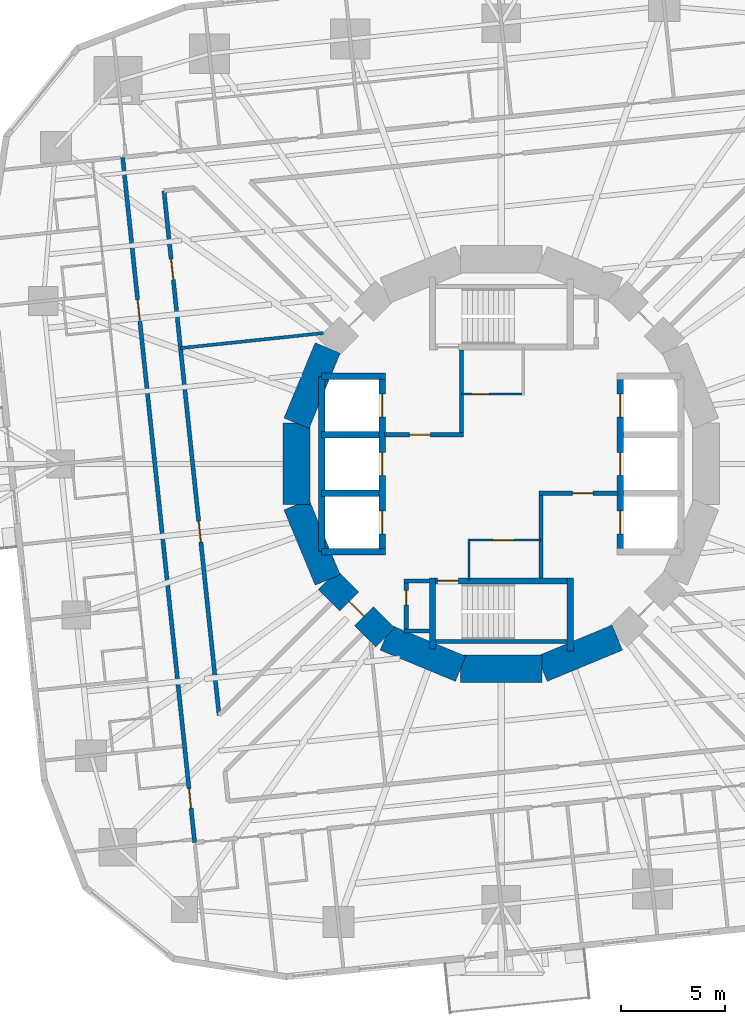
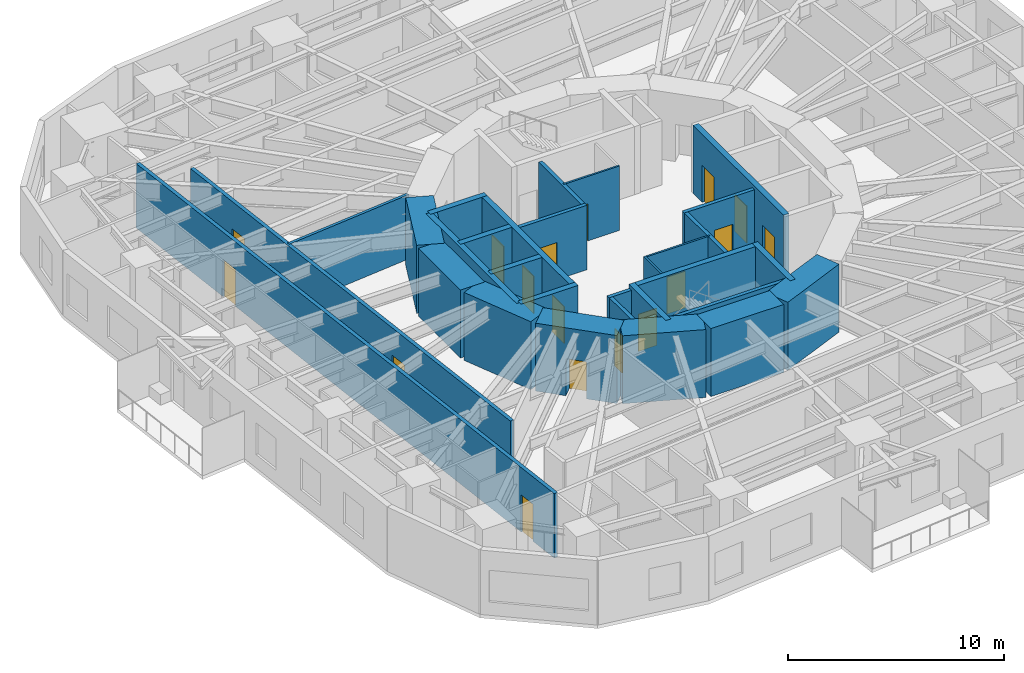
# One storey, part 7 of 14: 31 walls, 17 doors, 17 openings.
"""IFC4 building model written with IfcOpenShell, lengths in metres."""

from ifc_helpers import new_model, si_unit, direction, frame, frame_2d, origin, place, context, subcontext, project, spatial, rectangle, extrude, material, layer, layer_set, type_object, element, fill, save


model = new_model("IFC4")

# Units and contexts
model_context = context("Model", 3, precision=1e-05, world=origin(), true_north=direction((0.0, 1.0)))
body_context = subcontext(model_context, "Body", "Model", "MODEL_VIEW")
ifc_project = project(units=[si_unit("LENGTHUNIT", "METRE"), si_unit("AREAUNIT", "SQUARE_METRE"), si_unit("VOLUMEUNIT", "CUBIC_METRE"), si_unit("PLANEANGLEUNIT", "RADIAN"), si_unit("MASSUNIT", "GRAM", prefix="KILO")], contexts=[model_context])

# Site, building, storey
site_placement = place(None, origin())
site = spatial("IfcSite", under=ifc_project, at=site_placement, CompositionType="ELEMENT")
building_placement = place(site_placement, origin())
building = spatial("IfcBuilding", under=site, at=building_placement, Name="Nakasero Lantern House", CompositionType="ELEMENT")
storey_placement = place(building_placement, frame((0.0, 0.0, 87.449951171875)))
storey = spatial("IfcBuildingStorey", under=building, at=storey_placement, Name="L21", CompositionType="ELEMENT", Elevation=87.449951171875)

# Wall, openings, doors
ifc_material_1 = material(Name="Concrete C50/60", Category="concrete")
ifc_layer_1 = layer(ifc_material_1, 0.300048828125)
ifc_layer_set_1 = layer_set([ifc_layer_1], Name="Core inner wall 300")
wall_type_1 = type_object("IfcWallType", Name="Core inner wall 300", PredefinedType="SHEAR", material=ifc_layer_set_1)
wall_1_placement = place(storey_placement, frame((-5.699951171875, -4.199951171875, 0.0), z_axis=(0.0, 0.0, 1.0), x_axis=(0.0, 1.0, 0.0)))
wall_1 = element("IfcWall", 1, at=wall_1_placement, inside=storey, type_object=wall_type_1, Name="Core inner wall L21 LW", PredefinedType="SHEAR", context=body_context, shape_type="SweptSolid", body=[
    extrude(rectangle(XDim=8.39990234375, YDim=0.300048828125, at=frame_2d((4.199951171875, 0.0))), origin(), (0.0, 0.0, 1.0), 3.85009765625),
])
opening_1_placement = place(wall_1_placement, frame((0.85009765625, 0.0, 0.0)))
opening_1 = element("IfcOpeningElement", 2, at=opening_1_placement, cuts=wall_1, Name="Opening LD", PredefinedType="OPENING", context=body_context, shape_type="SweptSolid", body=[
    extrude(rectangle(XDim=1.10009765625, YDim=2.10009765625, at=frame_2d((0.550048828125, 1.050048828125))), frame((0.0, 0.169921875, 0.0), z_axis=(0.0, -1.0, 0.0), x_axis=(1.0, 0.0, 0.0)), (0.0, 0.0, 1.0), 0.340087890625),
])
opening_2_placement = place(wall_1_placement, frame((3.64990234375, 0.0, 0.0)))
opening_2 = element("IfcOpeningElement", 3, at=opening_2_placement, cuts=wall_1, Name="Opening LD", PredefinedType="OPENING", context=body_context, shape_type="SweptSolid", body=[
    extrude(rectangle(XDim=1.10009765625, YDim=2.10009765625, at=frame_2d((0.550048828125, 1.050048828125))), frame((0.0, 0.169921875, 0.0), z_axis=(0.0, -1.0, 0.0), x_axis=(1.0, 0.0, 0.0)), (0.0, 0.0, 1.0), 0.340087890625),
])
opening_3_placement = place(wall_1_placement, frame((6.449951171875, 0.0, 0.0)))
opening_3 = element("IfcOpeningElement", 4, at=opening_3_placement, cuts=wall_1, Name="Opening LD", PredefinedType="OPENING", context=body_context, shape_type="SweptSolid", body=[
    extrude(rectangle(XDim=1.10009765625, YDim=2.10009765625, at=frame_2d((0.550048828125, 1.050048828125))), frame((0.0, 0.169921875, 0.0), z_axis=(0.0, -1.0, 0.0), x_axis=(1.0, 0.0, 0.0)), (0.0, 0.0, 1.0), 0.340087890625),
])
ifc_material_2 = material(Name="Steel S355", Category="steel")
door_type_1 = type_object("IfcDoorType", Name="Lift landing door E120 1100", OperationType="SLIDING_TO_LEFT", PredefinedType="DOOR", material=ifc_material_2)
door_1_placement = place(opening_1_placement, origin())
door_1 = element("IfcDoor", 5, at=door_1_placement, inside=storey, type_object=door_type_1, Name="Lift landing door LW1", OperationType="SLIDING_TO_LEFT", OverallHeight=2.10009765625, OverallWidth=1.10009765625, PredefinedType="DOOR", context=body_context, shape_type="SweptSolid", body=[
    extrude(rectangle(XDim=1.10009765625, YDim=2.10009765625, at=frame_2d((0.550048828125, 1.050048828125))), frame((0.0, 0.02490234375, 0.0), z_axis=(0.0, -1.0, 0.0), x_axis=(1.0, 0.0, 0.0)), (0.0, 0.0, 1.0), 0.050048828125),
])
fill(opening_1, door_1)
door_2_placement = place(opening_2_placement, origin())
door_2 = element("IfcDoor", 6, at=door_2_placement, inside=storey, type_object=door_type_1, Name="Lift landing door LW2", OperationType="SLIDING_TO_LEFT", OverallHeight=2.10009765625, OverallWidth=1.10009765625, PredefinedType="DOOR", context=body_context, shape_type="SweptSolid", body=[
    extrude(rectangle(XDim=1.10009765625, YDim=2.10009765625, at=frame_2d((0.550048828125, 1.050048828125))), frame((0.0, 0.02490234375, 0.0), z_axis=(0.0, -1.0, 0.0), x_axis=(1.0, 0.0, 0.0)), (0.0, 0.0, 1.0), 0.050048828125),
])
fill(opening_2, door_2)
door_3_placement = place(opening_3_placement, origin())
door_3 = element("IfcDoor", 7, at=door_3_placement, inside=storey, type_object=door_type_1, Name="Lift landing door LW3", OperationType="SLIDING_TO_LEFT", OverallHeight=2.10009765625, OverallWidth=1.10009765625, PredefinedType="DOOR", context=body_context, shape_type="SweptSolid", body=[
    extrude(rectangle(XDim=1.10009765625, YDim=2.10009765625, at=frame_2d((0.550048828125, 1.050048828125))), frame((0.0, 0.02490234375, 0.0), z_axis=(0.0, -1.0, 0.0), x_axis=(1.0, 0.0, 0.0)), (0.0, 0.0, 1.0), 0.050048828125),
])
fill(opening_3, door_3)

wall_2_placement = place(storey_placement, frame((5.699951171875, -4.199951171875, 0.0), z_axis=(0.0, 0.0, 1.0), x_axis=(0.0, 1.0, 0.0)))
wall_2 = element("IfcWall", 8, at=wall_2_placement, inside=storey, type_object=wall_type_1, Name="Core inner wall L21 LE", PredefinedType="SHEAR", context=body_context, shape_type="SweptSolid", body=[
    extrude(rectangle(XDim=8.39990234375, YDim=0.300048828125, at=frame_2d((4.199951171875, 0.0))), origin(), (0.0, 0.0, 1.0), 3.85009765625),
])
opening_4_placement = place(wall_2_placement, frame((0.85009765625, 0.0, 0.0)))
opening_4 = element("IfcOpeningElement", 9, at=opening_4_placement, cuts=wall_2, Name="Opening LD", PredefinedType="OPENING", context=body_context, shape_type="SweptSolid", body=[
    extrude(rectangle(XDim=1.10009765625, YDim=2.10009765625, at=frame_2d((0.550048828125, 1.050048828125))), frame((0.0, 0.169921875, 0.0), z_axis=(0.0, -1.0, 0.0), x_axis=(1.0, 0.0, 0.0)), (0.0, 0.0, 1.0), 0.340087890625),
])
opening_5_placement = place(wall_2_placement, frame((3.64990234375, 0.0, 0.0)))
opening_5 = element("IfcOpeningElement", 10, at=opening_5_placement, cuts=wall_2, Name="Opening LD", PredefinedType="OPENING", context=body_context, shape_type="SweptSolid", body=[
    extrude(rectangle(XDim=1.10009765625, YDim=2.10009765625, at=frame_2d((0.550048828125, 1.050048828125))), frame((0.0, 0.169921875, 0.0), z_axis=(0.0, -1.0, 0.0), x_axis=(1.0, 0.0, 0.0)), (0.0, 0.0, 1.0), 0.340087890625),
])
opening_6_placement = place(wall_2_placement, frame((6.449951171875, 0.0, 0.0)))
opening_6 = element("IfcOpeningElement", 11, at=opening_6_placement, cuts=wall_2, Name="Opening LD", PredefinedType="OPENING", context=body_context, shape_type="SweptSolid", body=[
    extrude(rectangle(XDim=1.10009765625, YDim=2.10009765625, at=frame_2d((0.550048828125, 1.050048828125))), frame((0.0, 0.169921875, 0.0), z_axis=(0.0, -1.0, 0.0), x_axis=(1.0, 0.0, 0.0)), (0.0, 0.0, 1.0), 0.340087890625),
])
door_4_placement = place(opening_4_placement, origin())
door_4 = element("IfcDoor", 12, at=door_4_placement, inside=storey, type_object=door_type_1, Name="Lift landing door LE1", OperationType="SLIDING_TO_LEFT", OverallHeight=2.10009765625, OverallWidth=1.10009765625, PredefinedType="DOOR", context=body_context, shape_type="SweptSolid", body=[
    extrude(rectangle(XDim=1.10009765625, YDim=2.10009765625, at=frame_2d((0.550048828125, 1.050048828125))), frame((0.0, 0.02490234375, 0.0), z_axis=(0.0, -1.0, 0.0), x_axis=(1.0, 0.0, 0.0)), (0.0, 0.0, 1.0), 0.050048828125),
])
fill(opening_4, door_4)
door_5_placement = place(opening_5_placement, origin())
door_5 = element("IfcDoor", 13, at=door_5_placement, inside=storey, type_object=door_type_1, Name="Lift landing door LE2", OperationType="SLIDING_TO_LEFT", OverallHeight=2.10009765625, OverallWidth=1.10009765625, PredefinedType="DOOR", context=body_context, shape_type="SweptSolid", body=[
    extrude(rectangle(XDim=1.10009765625, YDim=2.10009765625, at=frame_2d((0.550048828125, 1.050048828125))), frame((0.0, 0.02490234375, 0.0), z_axis=(0.0, -1.0, 0.0), x_axis=(1.0, 0.0, 0.0)), (0.0, 0.0, 1.0), 0.050048828125),
])
fill(opening_5, door_5)
door_6_placement = place(opening_6_placement, origin())
door_6 = element("IfcDoor", 14, at=door_6_placement, inside=storey, type_object=door_type_1, Name="Lift landing door LE3", OperationType="SLIDING_TO_LEFT", OverallHeight=2.10009765625, OverallWidth=1.10009765625, PredefinedType="DOOR", context=body_context, shape_type="SweptSolid", body=[
    extrude(rectangle(XDim=1.10009765625, YDim=2.10009765625, at=frame_2d((0.550048828125, 1.050048828125))), frame((0.0, 0.02490234375, 0.0), z_axis=(0.0, -1.0, 0.0), x_axis=(1.0, 0.0, 0.0)), (0.0, 0.0, 1.0), 0.050048828125),
])
fill(opening_6, door_6)

# Walls
for number, where, z_axis, x_axis, name in (
    (15, (-8.60009765625, 4.199951171875, 0.0), (0.0, 0.0, 1.0), (1.0, 0.0, 0.0), "Core inner wall L21 LWN"),
    (16, (-8.60009765625, -4.199951171875, 0.0), (0.0, 0.0, 1.0), (1.0, 0.0, 0.0), "Core inner wall L21 LWS"),
):
    element("IfcWall", number, at=place(storey_placement, frame(where, z_axis=z_axis, x_axis=x_axis)), inside=storey, type_object=wall_type_1, Name=name, PredefinedType="SHEAR", context=body_context, shape_type="SweptSolid", body=[
        extrude(rectangle(XDim=3.050048828125, YDim=0.300048828125, at=frame_2d((1.52490234375, 0.0))), origin(), (0.0, 0.0, 1.0), 3.85009765625),
    ])
wall_3_placement = place(storey_placement, frame((-8.60009765625, -4.199951171875, 0.0), z_axis=(0.0, 0.0, 1.0), x_axis=(0.0, 1.0, 0.0)))
element("IfcWall", 17, at=wall_3_placement, inside=storey, type_object=wall_type_1, Name="Core inner wall L21 LWB", PredefinedType="SHEAR", context=body_context, shape_type="SweptSolid", body=[
    extrude(rectangle(XDim=8.39990234375, YDim=0.300048828125, at=frame_2d((4.199951171875, 0.0))), origin(), (0.0, 0.0, 1.0), 3.85009765625),
])
for number, where, z_axis, x_axis, name in (
    (18, (-8.60009765625, -1.39990234375, 0.0), (0.0, 0.0, 1.0), (1.0, 0.0, 0.0), "Core inner wall L21 LW1"),
    (19, (-8.60009765625, 1.39990234375, 0.0), (0.0, 0.0, 1.0), (1.0, 0.0, 0.0), "Core inner wall L21 LW2"),
):
    element("IfcWall", number, at=place(storey_placement, frame(where, z_axis=z_axis, x_axis=x_axis)), inside=storey, type_object=wall_type_1, Name=name, PredefinedType="SHEAR", context=body_context, shape_type="SweptSolid", body=[
        extrude(rectangle(XDim=2.75, YDim=0.300048828125, at=frame_2d((1.375, 0.0))), origin(), (0.0, 0.0, 1.0), 3.85009765625),
    ])

# Wall, opening, door
wall_4_placement = place(storey_placement, frame((-3.449951171875, -5.60009765625, 0.0), z_axis=(0.0, 0.0, 1.0), x_axis=(1.0, 0.0, 0.0)))
wall_4 = element("IfcWall", 20, at=wall_4_placement, inside=storey, type_object=wall_type_1, Name="Core inner wall L21 SS", PredefinedType="SHEAR", context=body_context, shape_type="SweptSolid", body=[
    extrude(rectangle(XDim=6.89990234375, YDim=0.300048828125, at=frame_2d((3.449951171875, 0.0))), origin(), (0.0, 0.0, 1.0), 3.85009765625),
])
opening_7_placement = place(wall_4_placement, frame((0.39990234375, 0.0, 0.0)))
opening_7 = element("IfcOpeningElement", 21, at=opening_7_placement, cuts=wall_4, Name="Opening D05", PredefinedType="OPENING", context=body_context, shape_type="SweptSolid", body=[
    extrude(rectangle(XDim=1.0, YDim=2.10009765625, at=frame_2d((0.5, 1.050048828125))), frame((0.0, 0.169921875, 0.0), z_axis=(0.0, -1.0, 0.0), x_axis=(1.0, 0.0, 0.0)), (0.0, 0.0, 1.0), 0.340087890625),
])
ifc_material_3 = material(Name="Timber C24", Category="wood")
door_type_2 = type_object("IfcDoorType", Name="Core door FD60S 1000", OperationType="SINGLE_SWING_LEFT", PredefinedType="DOOR", material=ifc_material_3)
door_7_placement = place(opening_7_placement, origin())
door_7 = element("IfcDoor", 22, at=door_7_placement, inside=storey, type_object=door_type_2, Name="Door L21 D-ST2", OperationType="SINGLE_SWING_LEFT", OverallHeight=2.10009765625, OverallWidth=1.0, PredefinedType="DOOR", context=body_context, shape_type="SweptSolid", body=[
    extrude(rectangle(XDim=1.0, YDim=2.10009765625, at=frame_2d((0.5, 1.050048828125))), frame((0.0, 0.02490234375, 0.0), z_axis=(0.0, -1.0, 0.0), x_axis=(1.0, 0.0, 0.0)), (0.0, 0.0, 1.0), 0.050048828125),
])
fill(opening_7, door_7)

# Walls
wall_5_placement = place(storey_placement, frame((-3.300048828125, -5.449951171875, 0.0), z_axis=(0.0, 0.0, 1.0), x_axis=(0.0, -1.0, 0.0)))
element("IfcWall", 23, at=wall_5_placement, inside=storey, type_object=wall_type_1, Name="Core inner wall L21 SSW", PredefinedType="SHEAR", context=body_context, shape_type="SweptSolid", body=[
    extrude(rectangle(XDim=3.400146484375, YDim=0.300048828125, at=frame_2d((1.7001953125, 0.0))), origin(), (0.0, 0.0, 1.0), 3.85009765625),
])
wall_6_placement = place(storey_placement, frame((3.300048828125, -5.449951171875, 0.0), z_axis=(0.0, 0.0, 1.0), x_axis=(0.0, -1.0, 0.0)))
element("IfcWall", 24, at=wall_6_placement, inside=storey, type_object=wall_type_1, Name="Core inner wall L21 SSE", PredefinedType="SHEAR", context=body_context, shape_type="SweptSolid", body=[
    extrude(rectangle(XDim=3.5, YDim=0.300048828125, at=frame_2d((1.75, 0.0))), origin(), (0.0, 0.0, 1.0), 3.85009765625),
])

# Wall, opening, door
ifc_material_4 = material(Name="Blockwork", Category="masonry")
ifc_layer_2 = layer(ifc_material_4, 0.10009765625)
ifc_layer_set_2 = layer_set([ifc_layer_2], Name="Core room wall 100")
wall_type_2 = type_object("IfcWallType", Name="Core room wall 100", PredefinedType="PARTITIONING", material=ifc_layer_set_2)
wall_7_placement = place(storey_placement, frame((-1.89990234375, 3.35009765625, 0.0), z_axis=(0.0, 0.0, 1.0), x_axis=(1.0, 0.0, 0.0)))
wall_7 = element("IfcWall", 25, at=wall_7_placement, inside=storey, type_object=wall_type_2, Name="Core room wall L21 CR-NES", PredefinedType="PARTITIONING", context=body_context, shape_type="SweptSolid", body=[
    extrude(rectangle(XDim=3.0, YDim=0.10009765625, at=frame_2d((1.5, 0.0))), origin(), (0.0, 0.0, 1.0), 3.650146484375),
])
opening_8_placement = place(wall_7_placement, frame((0.5, 0.0, 0.0)))
opening_8 = element("IfcOpeningElement", 26, at=opening_8_placement, cuts=wall_7, Name="Opening D15", PredefinedType="OPENING", context=body_context, shape_type="SweptSolid", body=[
    extrude(rectangle(XDim=0.800048828125, YDim=2.10009765625, at=frame_2d((0.39990234375, 1.050048828125))), frame((0.0, 0.070068359375, 0.0), z_axis=(0.0, -1.0, 0.0), x_axis=(1.0, 0.0, 0.0)), (0.0, 0.0, 1.0), 0.14013671875),
])
ifc_material_5 = material(Name="Timber C24", Category="wood")
door_type_3 = type_object("IfcDoorType", Name="Cleaner's store door FD30S 800", OperationType="SINGLE_SWING_LEFT", PredefinedType="DOOR", material=ifc_material_5)
door_8_placement = place(opening_8_placement, origin())
door_8 = element("IfcDoor", 27, at=door_8_placement, inside=storey, type_object=door_type_3, Name="Door L21 D-CR-NE", OperationType="SINGLE_SWING_LEFT", OverallHeight=2.10009765625, OverallWidth=0.800048828125, PredefinedType="DOOR", context=body_context, shape_type="SweptSolid", body=[
    extrude(rectangle(XDim=0.800048828125, YDim=2.10009765625, at=frame_2d((0.39990234375, 1.050048828125))), frame((0.0, 0.02490234375, 0.0), z_axis=(0.0, -1.0, 0.0), x_axis=(1.0, 0.0, 0.0)), (0.0, 0.0, 1.0), 0.050048828125),
])
fill(opening_8, door_8)

wall_8_placement = place(storey_placement, frame((-1.60009765625, -3.64990234375, 0.0), z_axis=(0.0, 0.0, 1.0), x_axis=(1.0, 0.0, 0.0)))
wall_8 = element("IfcWall", 28, at=wall_8_placement, inside=storey, type_object=wall_type_2, Name="Core room wall L21 CR-SWN", PredefinedType="PARTITIONING", context=body_context, shape_type="SweptSolid", body=[
    extrude(rectangle(XDim=3.5, YDim=0.10009765625, at=frame_2d((1.75, 0.0))), origin(), (0.0, 0.0, 1.0), 3.650146484375),
])
opening_9_placement = place(wall_8_placement, frame((1.199951171875, 0.0, 0.0)))
opening_9 = element("IfcOpeningElement", 29, at=opening_9_placement, cuts=wall_8, Name="Opening D07", PredefinedType="OPENING", context=body_context, shape_type="SweptSolid", body=[
    extrude(rectangle(XDim=1.0, YDim=2.10009765625, at=frame_2d((0.5, 1.050048828125))), frame((0.0, 0.070068359375, 0.0), z_axis=(0.0, -1.0, 0.0), x_axis=(1.0, 0.0, 0.0)), (0.0, 0.0, 1.0), 0.14013671875),
])
ifc_material_6 = material(Name="Timber C24", Category="wood")
door_type_4 = type_object("IfcDoorType", Name="Room door FD30S 1000", OperationType="SINGLE_SWING_LEFT", PredefinedType="DOOR", material=ifc_material_6)
door_9_placement = place(opening_9_placement, origin())
door_9 = element("IfcDoor", 30, at=door_9_placement, inside=storey, type_object=door_type_4, Name="Door L21 D-CR-SW", OperationType="SINGLE_SWING_LEFT", OverallHeight=2.10009765625, OverallWidth=1.0, PredefinedType="DOOR", context=body_context, shape_type="SweptSolid", body=[
    extrude(rectangle(XDim=1.0, YDim=2.10009765625, at=frame_2d((0.5, 1.050048828125))), frame((0.0, 0.02490234375, 0.0), z_axis=(0.0, -1.0, 0.0), x_axis=(1.0, 0.0, 0.0)), (0.0, 0.0, 1.0), 0.050048828125),
])
fill(opening_9, door_9)

# Walls
wall_9_placement = place(storey_placement, frame((-1.550048828125, -5.550048828125, 0.0), z_axis=(0.0, 0.0, 1.0), x_axis=(0.0, 1.0, 0.0)))
element("IfcWall", 31, at=wall_9_placement, inside=storey, type_object=wall_type_2, Name="Core room wall L21 CR-SWW", PredefinedType="PARTITIONING", context=body_context, shape_type="SweptSolid", body=[
    extrude(rectangle(XDim=1.949951171875, YDim=0.10009765625, at=frame_2d((0.97509765625, 0.0))), origin(), (0.0, 0.0, 1.0), 3.650146484375),
])
ifc_material_7 = material(Name="Concrete C50/60", Category="concrete")
ifc_layer_3 = layer(ifc_material_7, 1.300048828125)
ifc_layer_set_3 = layer_set([ifc_layer_3], Name="Core wall 1300")
wall_type_3 = type_object("IfcWallType", Name="Core wall 1300", PredefinedType="SHEAR", material=ifc_layer_set_3)
for number, where, z_axis, x_axis, name in (
    (32, (-8.314697265625, 5.5556640625, 0.0), (0.0, 0.0, 1.0), (-0.382690736062, -0.923876507187, 0.0), "Core wall L21 facet 7"),
    (33, (-9.807861328125, 1.950927734375, 0.0), (0.0, 0.0, 1.0), (0.0, -1.0, 0.0), "Core wall L21 facet 8"),
    (34, (-9.807861328125, -1.950927734375, 0.0), (0.0, 0.0, 1.0), (0.382690736062, -0.923876507187, 0.0), "Core wall L21 facet 9"),
):
    element("IfcWall", number, at=place(storey_placement, frame(where, z_axis=z_axis, x_axis=x_axis)), inside=storey, type_object=wall_type_3, Name=name, PredefinedType="SHEAR", context=body_context, shape_type="SweptSolid", body=[
        extrude(rectangle(XDim=3.90185546875, YDim=1.300048828125, at=frame_2d((1.950927734375, 0.0))), origin(), (0.0, 0.0, 1.0), 3.85009765625),
    ])

# Wall, opening, door
wall_10_placement = place(storey_placement, frame((-8.314697265625, -5.5556640625, 0.0), z_axis=(0.0, 0.0, 1.0), x_axis=(0.707106781187, -0.707106781187, 0.0)))
wall_10 = element("IfcWall", 35, at=wall_10_placement, inside=storey, type_object=wall_type_3, Name="Core wall L21 facet 10", PredefinedType="SHEAR", context=body_context, shape_type="SweptSolid", body=[
    extrude(rectangle(XDim=3.90185546875, YDim=1.300048828125, at=frame_2d((1.950927734375, 0.0))), origin(), (0.0, 0.0, 1.0), 3.85009765625),
])
opening_10_placement = place(wall_10_placement, frame((1.450927734375, 0.0, 0.0)))
opening_10 = element("IfcOpeningElement", 36, at=opening_10_placement, cuts=wall_10, Name="Opening D05", PredefinedType="OPENING", context=body_context, shape_type="SweptSolid", body=[
    extrude(rectangle(XDim=1.0, YDim=2.10009765625, at=frame_2d((0.5, 1.050048828125))), frame((0.0, 0.669921875, 0.0), z_axis=(0.0, -1.0, 0.0), x_axis=(1.0, 0.0, 0.0)), (0.0, 0.0, 1.0), 1.340087890625),
])
door_10_placement = place(opening_10_placement, origin())
door_10 = element("IfcDoor", 37, at=door_10_placement, inside=storey, type_object=door_type_2, Name="Door L21 D-CORE10", OperationType="SINGLE_SWING_LEFT", OverallHeight=2.10009765625, OverallWidth=1.0, PredefinedType="DOOR", context=body_context, shape_type="SweptSolid", body=[
    extrude(rectangle(XDim=1.0, YDim=2.10009765625, at=frame_2d((0.5, 1.050048828125))), frame((0.0, 0.02490234375, 0.0), z_axis=(0.0, -1.0, 0.0), x_axis=(1.0, 0.0, 0.0)), (0.0, 0.0, 1.0), 0.050048828125),
])
fill(opening_10, door_10)

# Walls
for number, where, z_axis, x_axis, name in (
    (38, (-5.5556640625, -8.314697265625, 0.0), (0.0, 0.0, 1.0), (0.923876507187, -0.382690736062, 0.0), "Core wall L21 facet 11"),
    (39, (-1.950927734375, -9.807861328125, 0.0), (0.0, 0.0, 1.0), (1.0, 0.0, 0.0), "Core wall L21 facet 12"),
    (40, (1.950927734375, -9.807861328125, 0.0), (0.0, 0.0, 1.0), (0.923876507187, 0.382690736062, 0.0), "Core wall L21 facet 13"),
):
    element("IfcWall", number, at=place(storey_placement, frame(where, z_axis=z_axis, x_axis=x_axis)), inside=storey, type_object=wall_type_3, Name=name, PredefinedType="SHEAR", context=body_context, shape_type="SweptSolid", body=[
        extrude(rectangle(XDim=3.90185546875, YDim=1.300048828125, at=frame_2d((1.950927734375, 0.0))), origin(), (0.0, 0.0, 1.0), 3.85009765625),
    ])

# Wall, openings, doors
ifc_material_8 = material(Name="Blockwork", Category="masonry")
ifc_layer_4 = layer(ifc_material_8, 0.199951171875)
ifc_layer_set_4 = layer_set([ifc_layer_4], Name="Corridor wall 200")
wall_type_4 = type_object("IfcWallType", Name="Corridor wall 200", PredefinedType="PARTITIONING", material=ifc_layer_set_4)
wall_11_placement = place(storey_placement, frame((-18.13427734375, 14.684814453125, 0.0), z_axis=(0.0, 0.0, 1.0), x_axis=(0.10452958258, -0.994521777723, 0.0)))
wall_11 = element("IfcWall", 41, at=wall_11_placement, inside=storey, type_object=wall_type_4, Name="Corridor wall L21 CW2", PredefinedType="PARTITIONING", context=body_context, shape_type="SweptSolid", body=[
    extrude(rectangle(XDim=32.999755859375, YDim=0.199951171875, at=frame_2d((16.5, 0.0))), origin(), (0.0, 0.0, 1.0), 3.650146484375),
])
opening_11_placement = place(wall_11_placement, frame((6.8505859375, 0.0, 0.0)))
opening_11 = element("IfcOpeningElement", 42, at=opening_11_placement, cuts=wall_11, Name="Opening D14", PredefinedType="OPENING", context=body_context, shape_type="SweptSolid", body=[
    extrude(rectangle(XDim=1.0, YDim=2.10009765625, at=frame_2d((0.5, 1.050048828125))), frame((0.0, 0.119873046875, 0.0), z_axis=(0.0, -1.0, 0.0), x_axis=(1.0, 0.0, 0.0)), (0.0, 0.0, 1.0), 0.239990234375),
])
opening_12_placement = place(wall_11_placement, frame((30.39111328125, 0.0, 0.0)))
opening_12 = element("IfcOpeningElement", 43, at=opening_12_placement, cuts=wall_11, Name="Opening D01", PredefinedType="OPENING", context=body_context, shape_type="SweptSolid", body=[
    extrude(rectangle(XDim=0.949951171875, YDim=2.10009765625, at=frame_2d((0.47509765625, 1.050048828125))), frame((0.0, 0.119873046875, 0.0), z_axis=(0.0, -1.0, 0.0), x_axis=(1.0, 0.0, 0.0)), (0.0, 0.0, 1.0), 0.239990234375),
])
ifc_material_9 = material(Name="Timber C24", Category="wood")
door_type_5 = type_object("IfcDoorType", Name="Bedroom door FD30S 950", OperationType="SINGLE_SWING_LEFT", PredefinedType="DOOR", material=ifc_material_9)
door_11_placement = place(opening_12_placement, origin())
door_11 = element("IfcDoor", 44, at=door_11_placement, inside=storey, type_object=door_type_5, Name="Door L21 D2-08", OperationType="SINGLE_SWING_RIGHT", OverallHeight=2.10009765625, OverallWidth=0.949951171875, PredefinedType="DOOR", context=body_context, shape_type="SweptSolid", body=[
    extrude(rectangle(XDim=0.949951171875, YDim=2.10009765625, at=frame_2d((0.47509765625, 1.050048828125))), frame((0.0, 0.02490234375, 0.0), z_axis=(0.0, -1.0, 0.0), x_axis=(1.0, 0.0, 0.0)), (0.0, 0.0, 1.0), 0.050048828125),
])
fill(opening_12, door_11)
ifc_material_10 = material(Name="Timber C24", Category="wood")
door_type_6 = type_object("IfcDoorType", Name="Cluster entrance door FD30S 1000", OperationType="SINGLE_SWING_LEFT", PredefinedType="DOOR", material=ifc_material_10)
door_12_placement = place(opening_11_placement, origin())
door_12 = element("IfcDoor", 45, at=door_12_placement, inside=storey, type_object=door_type_6, Name="Door L21 DF2-0", OperationType="SINGLE_SWING_LEFT", OverallHeight=2.10009765625, OverallWidth=1.0, PredefinedType="DOOR", context=body_context, shape_type="SweptSolid", body=[
    extrude(rectangle(XDim=1.0, YDim=2.10009765625, at=frame_2d((0.5, 1.050048828125))), frame((0.0, 0.02490234375, 0.0), z_axis=(0.0, -1.0, 0.0), x_axis=(1.0, 0.0, 0.0)), (0.0, 0.0, 1.0), 0.050048828125),
])
fill(opening_11, door_12)

wall_12_placement = place(storey_placement, frame((-16.156005859375, 13.0830078125, 0.0), z_axis=(0.0, 0.0, 1.0), x_axis=(0.104528773298, -0.994521862783, 0.0)))
wall_12 = element("IfcWall", 46, at=wall_12_placement, inside=storey, type_object=wall_type_4, Name="Corridor wall L21 IW2-0", PredefinedType="PARTITIONING", context=body_context, shape_type="SweptSolid", body=[
    extrude(rectangle(XDim=25.2529296875, YDim=0.199951171875, at=frame_2d((12.62646484375, 0.0))), origin(), (0.0, 0.0, 1.0), 3.650146484375),
])
opening_13_placement = place(wall_12_placement, frame((3.287841796875, 0.0, 0.0)))
opening_13 = element("IfcOpeningElement", 47, at=opening_13_placement, cuts=wall_12, Name="Opening D07", PredefinedType="OPENING", context=body_context, shape_type="SweptSolid", body=[
    extrude(rectangle(XDim=1.0, YDim=2.10009765625, at=frame_2d((0.5, 1.050048828125))), frame((0.0, 0.119873046875, 0.0), z_axis=(0.0, -1.0, 0.0), x_axis=(1.0, 0.0, 0.0)), (0.0, 0.0, 1.0), 0.239990234375),
])
opening_14_placement = place(wall_12_placement, frame((15.914306640625, 0.0, 0.0)))
opening_14 = element("IfcOpeningElement", 48, at=opening_14_placement, cuts=wall_12, Name="Opening D07", PredefinedType="OPENING", context=body_context, shape_type="SweptSolid", body=[
    extrude(rectangle(XDim=1.0, YDim=2.10009765625, at=frame_2d((0.5, 1.050048828125))), frame((0.0, 0.119873046875, 0.0), z_axis=(0.0, -1.0, 0.0), x_axis=(1.0, 0.0, 0.0)), (0.0, 0.0, 1.0), 0.239990234375),
])
door_13_placement = place(opening_13_placement, origin())
door_13 = element("IfcDoor", 49, at=door_13_placement, inside=storey, type_object=door_type_4, Name="Door L21 DI2", OperationType="SINGLE_SWING_LEFT", OverallHeight=2.10009765625, OverallWidth=1.0, PredefinedType="DOOR", context=body_context, shape_type="SweptSolid", body=[
    extrude(rectangle(XDim=1.0, YDim=2.10009765625, at=frame_2d((0.5, 1.050048828125))), frame((0.0, 0.02490234375, 0.0), z_axis=(0.0, -1.0, 0.0), x_axis=(1.0, 0.0, 0.0)), (0.0, 0.0, 1.0), 0.050048828125),
])
fill(opening_13, door_13)
door_14_placement = place(opening_14_placement, origin())
door_14 = element("IfcDoor", 50, at=door_14_placement, inside=storey, type_object=door_type_4, Name="Door L21 DI2S", OperationType="SINGLE_SWING_RIGHT", OverallHeight=2.10009765625, OverallWidth=1.0, PredefinedType="DOOR", context=body_context, shape_type="SweptSolid", body=[
    extrude(rectangle(XDim=1.0, YDim=2.10009765625, at=frame_2d((0.5, 1.050048828125))), frame((0.0, 0.02490234375, 0.0), z_axis=(0.0, -1.0, 0.0), x_axis=(1.0, 0.0, 0.0)), (0.0, 0.0, 1.0), 0.050048828125),
])
fill(opening_14, door_14)

# Wall, opening, door
ifc_material_11 = material(Name="Blockwork", Category="masonry")
ifc_layer_5 = layer(ifc_material_11, 0.199951171875)
ifc_layer_set_5 = layer_set([ifc_layer_5], Name="Fire lobby wall 200")
wall_type_5 = type_object("IfcWallType", Name="Fire lobby wall 200", PredefinedType="PARTITIONING", material=ifc_layer_set_5)
wall_13_placement = place(storey_placement, frame((-5.60009765625, 1.39990234375, 0.0), z_axis=(0.0, 0.0, 1.0), x_axis=(1.0, 0.0, 0.0)))
wall_13 = element("IfcWall", 51, at=wall_13_placement, inside=storey, type_object=wall_type_5, Name="Fire lobby wall L21 W-FL1S", PredefinedType="PARTITIONING", context=body_context, shape_type="SweptSolid", body=[
    extrude(rectangle(XDim=3.800048828125, YDim=0.199951171875, at=frame_2d((1.89990234375, 0.0))), origin(), (0.0, 0.0, 1.0), 3.650146484375),
])
opening_15_placement = place(wall_13_placement, frame((1.199951171875, 0.0, 0.0)))
opening_15 = element("IfcOpeningElement", 52, at=opening_15_placement, cuts=wall_13, Name="Opening D05", PredefinedType="OPENING", context=body_context, shape_type="SweptSolid", body=[
    extrude(rectangle(XDim=1.0, YDim=2.10009765625, at=frame_2d((0.5, 1.050048828125))), frame((0.0, 0.119873046875, 0.0), z_axis=(0.0, -1.0, 0.0), x_axis=(1.0, 0.0, 0.0)), (0.0, 0.0, 1.0), 0.239990234375),
])
door_15_placement = place(opening_15_placement, origin())
door_15 = element("IfcDoor", 53, at=door_15_placement, inside=storey, type_object=door_type_2, Name="Door L21 D-FL1", OperationType="SINGLE_SWING_LEFT", OverallHeight=2.10009765625, OverallWidth=1.0, PredefinedType="DOOR", context=body_context, shape_type="SweptSolid", body=[
    extrude(rectangle(XDim=1.0, YDim=2.10009765625, at=frame_2d((0.5, 1.050048828125))), frame((0.0, 0.02490234375, 0.0), z_axis=(0.0, -1.0, 0.0), x_axis=(1.0, 0.0, 0.0)), (0.0, 0.0, 1.0), 0.050048828125),
])
fill(opening_15, door_15)

# Wall
wall_14_placement = place(storey_placement, frame((-1.89990234375, 1.5, 0.0), z_axis=(0.0, 0.0, 1.0), x_axis=(0.0, 1.0, 0.0)))
element("IfcWall", 54, at=wall_14_placement, inside=storey, type_object=wall_type_5, Name="Fire lobby wall L21 W-FL1E", PredefinedType="PARTITIONING", context=body_context, shape_type="SweptSolid", body=[
    extrude(rectangle(XDim=3.949951171875, YDim=0.199951171875, at=frame_2d((1.97509765625, 0.0))), origin(), (0.0, 0.0, 1.0), 3.650146484375),
])

# Wall, opening, door
wall_15_placement = place(storey_placement, frame((5.60009765625, -1.39990234375, 0.0), z_axis=(0.0, 0.0, 1.0), x_axis=(-1.0, 0.0, 0.0)))
wall_15 = element("IfcWall", 55, at=wall_15_placement, inside=storey, type_object=wall_type_5, Name="Fire lobby wall L21 W-FL2N", PredefinedType="PARTITIONING", context=body_context, shape_type="SweptSolid", body=[
    extrude(rectangle(XDim=3.800048828125, YDim=0.199951171875, at=frame_2d((1.89990234375, 0.0))), origin(), (0.0, 0.0, 1.0), 3.650146484375),
])
opening_16_placement = place(wall_15_placement, frame((1.199951171875, 0.0, 0.0)))
opening_16 = element("IfcOpeningElement", 56, at=opening_16_placement, cuts=wall_15, Name="Opening D05", PredefinedType="OPENING", context=body_context, shape_type="SweptSolid", body=[
    extrude(rectangle(XDim=1.0, YDim=2.10009765625, at=frame_2d((0.5, 1.050048828125))), frame((0.0, 0.119873046875, 0.0), z_axis=(0.0, -1.0, 0.0), x_axis=(1.0, 0.0, 0.0)), (0.0, 0.0, 1.0), 0.239990234375),
])
door_16_placement = place(opening_16_placement, origin())
door_16 = element("IfcDoor", 57, at=door_16_placement, inside=storey, type_object=door_type_2, Name="Door L21 D-FL2", OperationType="SINGLE_SWING_LEFT", OverallHeight=2.10009765625, OverallWidth=1.0, PredefinedType="DOOR", context=body_context, shape_type="SweptSolid", body=[
    extrude(rectangle(XDim=1.0, YDim=2.10009765625, at=frame_2d((0.5, 1.050048828125))), frame((0.0, 0.02490234375, 0.0), z_axis=(0.0, -1.0, 0.0), x_axis=(1.0, 0.0, 0.0)), (0.0, 0.0, 1.0), 0.050048828125),
])
fill(opening_16, door_16)

# Wall
wall_16_placement = place(storey_placement, frame((1.89990234375, -1.5, 0.0), z_axis=(0.0, 0.0, 1.0), x_axis=(0.0, -1.0, 0.0)))
element("IfcWall", 58, at=wall_16_placement, inside=storey, type_object=wall_type_5, Name="Fire lobby wall L21 W-FL2W", PredefinedType="PARTITIONING", context=body_context, shape_type="SweptSolid", body=[
    extrude(rectangle(XDim=3.949951171875, YDim=0.199951171875, at=frame_2d((1.97509765625, 0.0))), origin(), (0.0, 0.0, 1.0), 3.650146484375),
])

# Wall, opening, door
wall_17_placement = place(storey_placement, frame((-4.550048828125, -5.60009765625, 0.0), z_axis=(0.0, 0.0, 1.0), x_axis=(0.0, -1.0, 0.0)))
wall_17 = element("IfcWall", 59, at=wall_17_placement, inside=storey, type_object=wall_type_5, Name="Fire lobby wall L21 W-RS2W", PredefinedType="PARTITIONING", context=body_context, shape_type="SweptSolid", body=[
    extrude(rectangle(XDim=2.39990234375, YDim=0.199951171875, at=frame_2d((1.199951171875, 0.0))), origin(), (0.0, 0.0, 1.0), 3.650146484375),
])
opening_17_placement = place(wall_17_placement, frame((0.449951171875, 0.0, 0.0)))
opening_17 = element("IfcOpeningElement", 60, at=opening_17_placement, cuts=wall_17, Name="Opening D06", PredefinedType="OPENING", context=body_context, shape_type="SweptSolid", body=[
    extrude(rectangle(XDim=0.699951171875, YDim=2.10009765625, at=frame_2d((0.35009765625, 1.050048828125))), frame((0.0, 0.119873046875, 0.0), z_axis=(0.0, -1.0, 0.0), x_axis=(1.0, 0.0, 0.0)), (0.0, 0.0, 1.0), 0.239990234375),
])
ifc_material_12 = material(Name="Steel S355", Category="steel")
door_type_7 = type_object("IfcDoorType", Name="Riser door FD60 700", OperationType="SINGLE_SWING_LEFT", PredefinedType="DOOR", material=ifc_material_12)
door_17_placement = place(opening_17_placement, origin())
door_17 = element("IfcDoor", 61, at=door_17_placement, inside=storey, type_object=door_type_7, Name="Door L21 D-RS2", OperationType="SINGLE_SWING_LEFT", OverallHeight=2.10009765625, OverallWidth=0.699951171875, PredefinedType="DOOR", context=body_context, shape_type="SweptSolid", body=[
    extrude(rectangle(XDim=0.699951171875, YDim=2.10009765625, at=frame_2d((0.35009765625, 1.050048828125))), frame((0.0, 0.02490234375, 0.0), z_axis=(0.0, -1.0, 0.0), x_axis=(1.0, 0.0, 0.0)), (0.0, 0.0, 1.0), 0.050048828125),
])
fill(opening_17, door_17)

# Walls
for number, where, z_axis, x_axis, name in (
    (62, (-3.449951171875, -8.0, 0.0), (0.0, 0.0, 1.0), (-1.0, 0.0, 0.0), "Fire lobby wall L21 W-RS2S"),
    (63, (-3.449951171875, -5.60009765625, 0.0), (0.0, 0.0, 1.0), (-1.0, 0.0, 0.0), "Fire lobby wall L21 W-RS2N"),
):
    element("IfcWall", number, at=place(storey_placement, frame(where, z_axis=z_axis, x_axis=x_axis)), inside=storey, type_object=wall_type_5, Name=name, PredefinedType="PARTITIONING", context=body_context, shape_type="SweptSolid", body=[
        extrude(rectangle(XDim=1.199951171875, YDim=0.199951171875, at=frame_2d((0.60009765625, 0.0))), origin(), (0.0, 0.0, 1.0), 3.650146484375),
    ])
wall_18_placement = place(storey_placement, frame((-3.300048828125, -8.5, 0.0), z_axis=(0.0, 0.0, 1.0), x_axis=(1.0, 0.0, 0.0)))
element("IfcWall", 64, at=wall_18_placement, inside=storey, type_object=wall_type_5, Name="Fire lobby wall L21 W-STS", PredefinedType="PARTITIONING", context=body_context, shape_type="SweptSolid", body=[
    extrude(rectangle(XDim=6.60009765625, YDim=0.199951171875, at=frame_2d((3.300048828125, 0.0))), origin(), (0.0, 0.0, 1.0), 3.650146484375),
])
ifc_material_13 = material(Name="Blockwork", Category="masonry")
ifc_layer_6 = layer(ifc_material_13, 0.14990234375)
ifc_layer_set_6 = layer_set([ifc_layer_6], Name="Party wall 150")
wall_type_6 = type_object("IfcWallType", Name="Party wall 150", PredefinedType="PARTITIONING", material=ifc_layer_set_6)
wall_19_placement = place(storey_placement, frame((-8.52197265625, 6.267822265625, 0.0), z_axis=(0.0, 0.0, 1.0), x_axis=(-0.994520608951, -0.10454070199, 0.0)))
element("IfcWall", 65, at=wall_19_placement, inside=storey, type_object=wall_type_6, Name="Party wall L21 IS2", PredefinedType="PARTITIONING", context=body_context, shape_type="SweptSolid", body=[
    extrude(rectangle(XDim=6.8798828125, YDim=0.14990234375, at=frame_2d((3.43994140625, 0.0))), origin(), (0.0, 0.0, 1.0), 3.650146484375),
])

save(model, "model.ifc")
